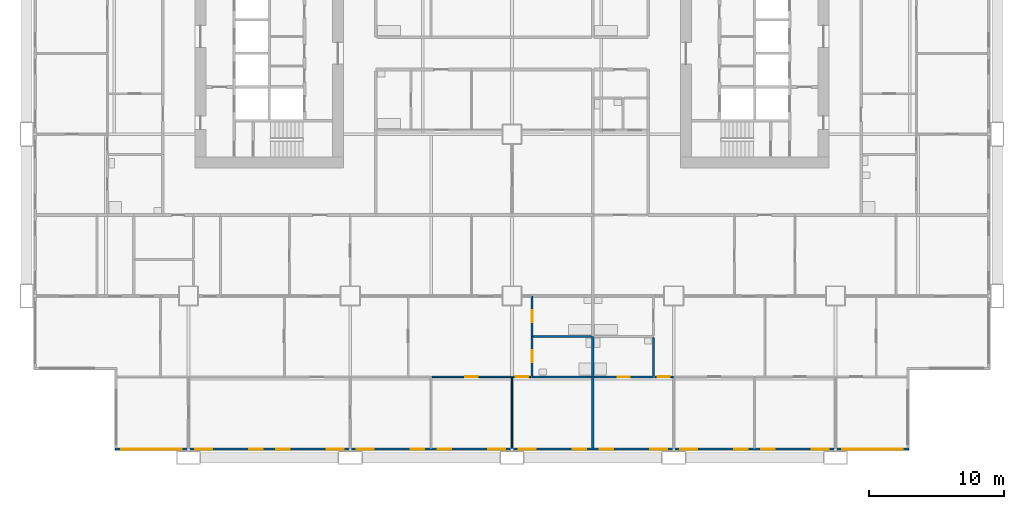
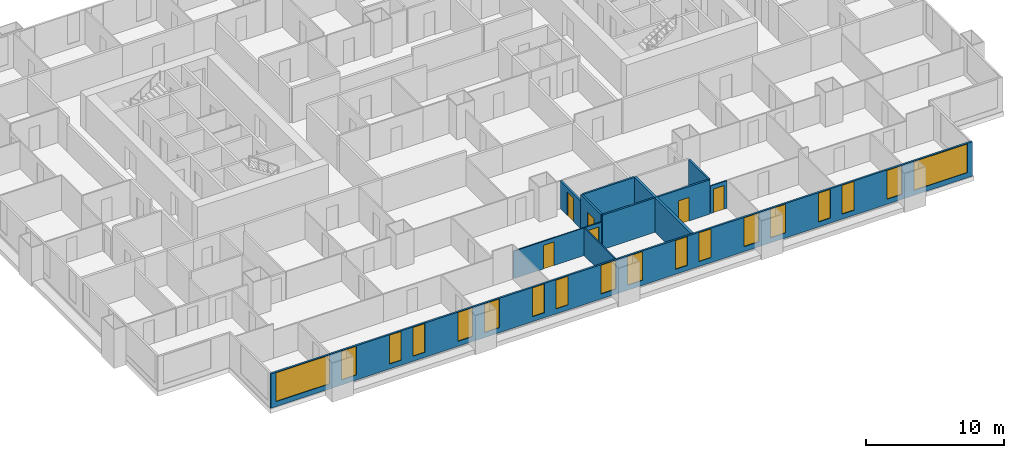
# One storey, part 5 of 14: 18 windows, 13 walls, 6 doors, 24 openings.
"""IFC4 building model written with IfcOpenShell, lengths in metres."""

from ifc_helpers import new_model, si_unit, direction, frame, frame_2d, origin, place, context, subcontext, project, spatial, rectangle, extrude, material, layer, layer_set, type_object, element, fill, save


model = new_model("IFC4")

# Units and contexts
model_context = context("Model", 3, precision=1e-05, world=origin(), true_north=direction((0.0, 1.0)))
body_context = subcontext(model_context, "Body", "Model", "MODEL_VIEW")
ifc_project = project(units=[si_unit("LENGTHUNIT", "METRE"), si_unit("AREAUNIT", "SQUARE_METRE"), si_unit("VOLUMEUNIT", "CUBIC_METRE"), si_unit("PLANEANGLEUNIT", "RADIAN"), si_unit("MASSUNIT", "GRAM", prefix="KILO")], contexts=[model_context])

# Site, building, storey
site_placement = place(None, origin())
site = spatial("IfcSite", under=ifc_project, at=site_placement, CompositionType="ELEMENT")
building_placement = place(site_placement, origin())
building = spatial("IfcBuilding", under=site, at=building_placement, Name="Kitamizu Gate Tower and Museum", CompositionType="ELEMENT")
storey_placement = place(building_placement, frame((0.0, 0.0, 54.14990234375)))
storey = spatial("IfcBuildingStorey", under=building, at=storey_placement, Name="L12", CompositionType="ELEMENT", Elevation=54.14990234375)

# Wall
ifc_material_1 = material(Name="Gypsum board on galvanised stud")
ifc_layer_1 = layer(ifc_material_1, 0.10009765625)
ifc_layer_set_1 = layer_set([ifc_layer_1], Name="Gypsum board on galvanised stud")
wall_type_1 = type_object("IfcWallType", Name="Partition 100 NOT RATED", PredefinedType="PARTITIONING", material=ifc_layer_set_1)
wall_1_placement = place(storey_placement, frame((36.0, 0.719970703125, 0.0), z_axis=(0.0, 0.0, 1.0), x_axis=(0.0, 1.0, 0.0)))
element("IfcWall", 1, at=wall_1_placement, inside=storey, type_object=wall_type_1, Name="Partition L12-010", PredefinedType="PARTITIONING", context=body_context, shape_type="SweptSolid", body=[
    extrude(rectangle(XDim=5.280029296875, YDim=0.10009765625, at=frame_2d((2.64013671875, 0.0))), origin(), (0.0, 0.0, 1.0), 2.4501953125),
])

# Wall, opening, door
wall_2_placement = place(storey_placement, frame((35.949951171875, 6.0, 0.0), z_axis=(0.0, 0.0, 1.0), x_axis=(-1.0, 0.0, 0.0)))
wall_2 = element("IfcWall", 2, at=wall_2_placement, inside=storey, type_object=wall_type_1, Name="Partition L12-011", PredefinedType="PARTITIONING", context=body_context, shape_type="SweptSolid", body=[
    extrude(rectangle(XDim=5.89990234375, YDim=0.10009765625, at=frame_2d((2.949951171875, 0.0))), origin(), (0.0, 0.0, 1.0), 2.4501953125),
])
opening_1_placement = place(wall_2_placement, frame((2.5, 0.0, 0.0)))
opening_1 = element("IfcOpeningElement", 3, at=opening_1_placement, cuts=wall_2, Name="Opening L12-010", PredefinedType="OPENING", context=body_context, shape_type="SweptSolid", body=[
    extrude(rectangle(XDim=0.89990234375, YDim=2.10009765625, at=frame_2d((0.449951171875, 1.050048828125))), frame((0.0, 0.06005859375, 0.0), z_axis=(0.0, -1.0, 0.0), x_axis=(1.0, 0.0, 0.0)), (0.0, 0.0, 1.0), 0.1201171875),
])
ifc_material_2 = material(Name="Timber door set", Category="wood")
door_type_1 = type_object("IfcDoorType", Name="Room door 900", OperationType="NOTDEFINED", PredefinedType="DOOR", material=ifc_material_2)
door_1_placement = place(opening_1_placement, origin())
door_1 = element("IfcDoor", 4, at=door_1_placement, inside=storey, type_object=door_type_1, Name="Door L12-010", OperationType="SINGLE_SWING_RIGHT", OverallHeight=2.10009765625, OverallWidth=0.89990234375, PredefinedType="DOOR", context=body_context, shape_type="SweptSolid", body=[
    extrude(rectangle(XDim=0.89990234375, YDim=2.10009765625, at=frame_2d((0.449951171875, 1.050048828125))), frame((0.0, 0.02490234375, 0.0), z_axis=(0.0, -1.0, 0.0), x_axis=(1.0, 0.0, 0.0)), (0.0, 0.0, 1.0), 0.050048828125),
])
fill(opening_1, door_1)

wall_3_placement = place(storey_placement, frame((37.425048828125, 6.0, 0.0), z_axis=(0.0, 0.0, 1.0), x_axis=(-1.0, 0.0, 0.0)))
wall_3 = element("IfcWall", 5, at=wall_3_placement, inside=storey, type_object=wall_type_1, Name="Partition L12-012", PredefinedType="PARTITIONING", context=body_context, shape_type="SweptSolid", body=[
    extrude(rectangle(XDim=1.375, YDim=0.10009765625, at=frame_2d((0.6875, 0.0))), origin(), (0.0, 0.0, 1.0), 2.4501953125),
])
opening_2_placement = place(wall_3_placement, frame((0.237548828125, 0.0, 0.0)))
opening_2 = element("IfcOpeningElement", 6, at=opening_2_placement, cuts=wall_3, Name="Opening L12-011", PredefinedType="OPENING", context=body_context, shape_type="SweptSolid", body=[
    extrude(rectangle(XDim=0.89990234375, YDim=2.10009765625, at=frame_2d((0.449951171875, 1.050048828125))), frame((0.0, 0.06005859375, 0.0), z_axis=(0.0, -1.0, 0.0), x_axis=(1.0, 0.0, 0.0)), (0.0, 0.0, 1.0), 0.1201171875),
])
door_2_placement = place(opening_2_placement, origin())
door_2 = element("IfcDoor", 7, at=door_2_placement, inside=storey, type_object=door_type_1, Name="Door L12-011", OperationType="SINGLE_SWING_LEFT", OverallHeight=2.10009765625, OverallWidth=0.89990234375, PredefinedType="DOOR", context=body_context, shape_type="SweptSolid", body=[
    extrude(rectangle(XDim=0.89990234375, YDim=2.10009765625, at=frame_2d((0.449951171875, 1.050048828125))), frame((0.0, 0.02490234375, 0.0), z_axis=(0.0, -1.0, 0.0), x_axis=(1.0, 0.0, 0.0)), (0.0, 0.0, 1.0), 0.050048828125),
])
fill(opening_2, door_2)

wall_4_placement = place(storey_placement, frame((47.949951171875, 6.0, 0.0), z_axis=(0.0, 0.0, 1.0), x_axis=(-1.0, 0.0, 0.0)))
wall_4 = element("IfcWall", 8, at=wall_4_placement, inside=storey, type_object=wall_type_1, Name="Partition L12-078", PredefinedType="PARTITIONING", context=body_context, shape_type="SweptSolid", body=[
    extrude(rectangle(XDim=1.375, YDim=0.10009765625, at=frame_2d((0.6875, 0.0))), origin(), (0.0, 0.0, 1.0), 2.4501953125),
])
opening_3_placement = place(wall_4_placement, frame((0.237548828125, 0.0, 0.0)))
opening_3 = element("IfcOpeningElement", 9, at=opening_3_placement, cuts=wall_4, Name="Opening L12-029", PredefinedType="OPENING", context=body_context, shape_type="SweptSolid", body=[
    extrude(rectangle(XDim=0.89990234375, YDim=2.10009765625, at=frame_2d((0.449951171875, 1.050048828125))), frame((0.0, 0.06005859375, 0.0), z_axis=(0.0, -1.0, 0.0), x_axis=(1.0, 0.0, 0.0)), (0.0, 0.0, 1.0), 0.1201171875),
])
door_3_placement = place(opening_3_placement, origin())
door_3 = element("IfcDoor", 10, at=door_3_placement, inside=storey, type_object=door_type_1, Name="Door L12-029", OperationType="SINGLE_SWING_RIGHT", OverallHeight=2.10009765625, OverallWidth=0.89990234375, PredefinedType="DOOR", context=body_context, shape_type="SweptSolid", body=[
    extrude(rectangle(XDim=0.89990234375, YDim=2.10009765625, at=frame_2d((0.449951171875, 1.050048828125))), frame((0.0, 0.02490234375, 0.0), z_axis=(0.0, -1.0, 0.0), x_axis=(1.0, 0.0, 0.0)), (0.0, 0.0, 1.0), 0.050048828125),
])
fill(opening_3, door_3)

# Wall
ifc_material_3 = material(Name="Gypsum board on galvanised stud")
ifc_layer_2 = layer(ifc_material_3, 0.14990234375)
ifc_layer_set_2 = layer_set([ifc_layer_2], Name="Gypsum board on galvanised stud")
wall_type_2 = type_object("IfcWallType", Name="Partition 150", PredefinedType="PARTITIONING", material=ifc_layer_set_2)
wall_5_placement = place(storey_placement, frame((41.89990234375, 6.0, 0.0), z_axis=(0.0, 0.0, 1.0), x_axis=(-1.0, 0.0, 0.0)))
element("IfcWall", 11, at=wall_5_placement, inside=storey, type_object=wall_type_2, Name="Partition L12-013", PredefinedType="PARTITIONING", context=body_context, shape_type="SweptSolid", body=[
    extrude(rectangle(XDim=4.39990234375, YDim=0.14990234375, at=frame_2d((2.199951171875, 0.0))), origin(), (0.0, 0.0, 1.0), 3.050048828125),
])

# Wall, opening, door
wall_6_placement = place(storey_placement, frame((37.5, 6.074951171875, 0.0), z_axis=(0.0, 0.0, 1.0), x_axis=(0.0, 1.0, 0.0)))
wall_6 = element("IfcWall", 12, at=wall_6_placement, inside=storey, type_object=wall_type_2, Name="Partition L12-027", PredefinedType="PARTITIONING", context=body_context, shape_type="SweptSolid", body=[
    extrude(rectangle(XDim=2.925048828125, YDim=0.14990234375, at=frame_2d((1.46240234375, 0.0))), origin(), (0.0, 0.0, 1.0), 3.050048828125),
])
opening_4_placement = place(wall_6_placement, frame((1.012451171875, 0.0, 0.0)))
opening_4 = element("IfcOpeningElement", 13, at=opening_4_placement, cuts=wall_6, Name="Opening L12-008", PredefinedType="OPENING", context=body_context, shape_type="SweptSolid", body=[
    extrude(rectangle(XDim=0.89990234375, YDim=2.10009765625, at=frame_2d((0.449951171875, 1.050048828125))), frame((0.0, 0.0849609375, 0.0), z_axis=(0.0, -1.0, 0.0), x_axis=(1.0, 0.0, 0.0)), (0.0, 0.0, 1.0), 0.169921875),
])
ifc_material_4 = material(Name="Timber door set", Category="wood")
door_type_2 = type_object("IfcDoorType", Name="Bathroom door 900", OperationType="NOTDEFINED", PredefinedType="DOOR", material=ifc_material_4)
door_4_placement = place(opening_4_placement, frame((0.89990234375, 0.0, 0.0), x_axis=(-1.0, 0.0, 0.0)))
door_4 = element("IfcDoor", 14, at=door_4_placement, inside=storey, type_object=door_type_2, Name="Bathroom door L12-008", OperationType="SINGLE_SWING_LEFT", OverallHeight=2.10009765625, OverallWidth=0.89990234375, PredefinedType="DOOR", context=body_context, shape_type="SweptSolid", body=[
    extrude(rectangle(XDim=0.89990234375, YDim=2.10009765625, at=frame_2d((0.449951171875, 1.050048828125))), frame((0.0, 0.02490234375, 0.0), z_axis=(0.0, -1.0, 0.0), x_axis=(1.0, 0.0, 0.0)), (0.0, 0.0, 1.0), 0.050048828125),
])
fill(opening_4, door_4)

wall_7_placement = place(storey_placement, frame((37.5, 9.0, 0.0), z_axis=(0.0, 0.0, 1.0), x_axis=(0.0, 1.0, 0.0)))
wall_7 = element("IfcWall", 15, at=wall_7_placement, inside=storey, type_object=wall_type_2, Name="Partition L12-028", PredefinedType="PARTITIONING", context=body_context, shape_type="SweptSolid", body=[
    extrude(rectangle(XDim=3.0, YDim=0.14990234375, at=frame_2d((1.5, 0.0))), origin(), (0.0, 0.0, 1.0), 2.4501953125),
])
opening_5_placement = place(wall_7_placement, frame((1.050048828125, 0.0, 0.0)))
opening_5 = element("IfcOpeningElement", 16, at=opening_5_placement, cuts=wall_7, Name="Opening L12-012", PredefinedType="OPENING", context=body_context, shape_type="SweptSolid", body=[
    extrude(rectangle(XDim=0.89990234375, YDim=2.10009765625, at=frame_2d((0.449951171875, 1.050048828125))), frame((0.0, 0.0849609375, 0.0), z_axis=(0.0, -1.0, 0.0), x_axis=(1.0, 0.0, 0.0)), (0.0, 0.0, 1.0), 0.169921875),
])
door_5_placement = place(opening_5_placement, frame((0.89990234375, 0.0, 0.0), x_axis=(-1.0, 0.0, 0.0)))
door_5 = element("IfcDoor", 17, at=door_5_placement, inside=storey, type_object=door_type_2, Name="Bathroom door L12-012", OperationType="SINGLE_SWING_RIGHT", OverallHeight=2.10009765625, OverallWidth=0.89990234375, PredefinedType="DOOR", context=body_context, shape_type="SweptSolid", body=[
    extrude(rectangle(XDim=0.89990234375, YDim=2.10009765625, at=frame_2d((0.449951171875, 1.050048828125))), frame((0.0, 0.02490234375, 0.0), z_axis=(0.0, -1.0, 0.0), x_axis=(1.0, 0.0, 0.0)), (0.0, 0.0, 1.0), 0.050048828125),
])
fill(opening_5, door_5)

# Wall
wall_8_placement = place(storey_placement, frame((41.89990234375, 9.0, 0.0), z_axis=(0.0, 0.0, 1.0), x_axis=(-1.0, 0.0, 0.0)))
element("IfcWall", 18, at=wall_8_placement, inside=storey, type_object=wall_type_2, Name="Partition L12-032", PredefinedType="PARTITIONING", context=body_context, shape_type="SweptSolid", body=[
    extrude(rectangle(XDim=4.324951171875, YDim=0.14990234375, at=frame_2d((2.16259765625, 0.0))), origin(), (0.0, 0.0, 1.0), 3.050048828125),
])

# Wall, opening, door
wall_9_placement = place(storey_placement, frame((46.5, 6.0, 0.0), z_axis=(0.0, 0.0, 1.0), x_axis=(-1.0, 0.0, 0.0)))
wall_9 = element("IfcWall", 19, at=wall_9_placement, inside=storey, type_object=wall_type_2, Name="Partition L12-077", PredefinedType="PARTITIONING", context=body_context, shape_type="SweptSolid", body=[
    extrude(rectangle(XDim=4.39990234375, YDim=0.14990234375, at=frame_2d((2.199951171875, 0.0))), origin(), (0.0, 0.0, 1.0), 3.050048828125),
])
opening_6_placement = place(wall_9_placement, frame((1.75, 0.0, 0.0)))
opening_6 = element("IfcOpeningElement", 20, at=opening_6_placement, cuts=wall_9, Name="Opening L12-031", PredefinedType="OPENING", context=body_context, shape_type="SweptSolid", body=[
    extrude(rectangle(XDim=0.89990234375, YDim=2.10009765625, at=frame_2d((0.449951171875, 1.050048828125))), frame((0.0, 0.0849609375, 0.0), z_axis=(0.0, -1.0, 0.0), x_axis=(1.0, 0.0, 0.0)), (0.0, 0.0, 1.0), 0.169921875),
])
door_6_placement = place(opening_6_placement, frame((0.89990234375, 0.0, 0.0), x_axis=(-1.0, 0.0, 0.0)))
door_6 = element("IfcDoor", 21, at=door_6_placement, inside=storey, type_object=door_type_2, Name="Bathroom door L12-031", OperationType="SINGLE_SWING_RIGHT", OverallHeight=2.10009765625, OverallWidth=0.89990234375, PredefinedType="DOOR", context=body_context, shape_type="SweptSolid", body=[
    extrude(rectangle(XDim=0.89990234375, YDim=2.10009765625, at=frame_2d((0.449951171875, 1.050048828125))), frame((0.0, 0.02490234375, 0.0), z_axis=(0.0, -1.0, 0.0), x_axis=(1.0, 0.0, 0.0)), (0.0, 0.0, 1.0), 0.050048828125),
])
fill(opening_6, door_6)

# Walls
wall_10_placement = place(storey_placement, frame((46.5, 6.074951171875, 0.0), z_axis=(0.0, 0.0, 1.0), x_axis=(0.0, 1.0, 0.0)))
element("IfcWall", 22, at=wall_10_placement, inside=storey, type_object=wall_type_2, Name="Partition L12-087", PredefinedType="PARTITIONING", context=body_context, shape_type="SweptSolid", body=[
    extrude(rectangle(XDim=2.85009765625, YDim=0.14990234375, at=frame_2d((1.425048828125, 0.0))), origin(), (0.0, 0.0, 1.0), 3.050048828125),
])
ifc_material_5 = material(Name="Gypsum board on galvanised stud")
ifc_layer_3 = layer(ifc_material_5, 0.199951171875)
ifc_layer_set_3 = layer_set([ifc_layer_3], Name="Gypsum board on galvanised stud")
wall_type_3 = type_object("IfcWallType", Name="Partition 200", PredefinedType="PARTITIONING", material=ifc_layer_set_3)
wall_11_placement = place(storey_placement, frame((42.0, 0.719970703125, 0.0), z_axis=(0.0, 0.0, 1.0), x_axis=(0.0, 1.0, 0.0)))
element("IfcWall", 23, at=wall_11_placement, inside=storey, type_object=wall_type_3, Name="Partition L12-014", PredefinedType="PARTITIONING", context=body_context, shape_type="SweptSolid", body=[
    extrude(rectangle(XDim=5.280029296875, YDim=0.199951171875, at=frame_2d((2.64013671875, 0.0))), origin(), (0.0, 0.0, 1.0), 3.050048828125),
])
wall_12_placement = place(storey_placement, frame((42.0, 6.0, 0.0), z_axis=(0.0, 0.0, 1.0), x_axis=(0.0, 1.0, 0.0)))
element("IfcWall", 24, at=wall_12_placement, inside=storey, type_object=wall_type_3, Name="Partition L12-033", PredefinedType="PARTITIONING", context=body_context, shape_type="SweptSolid", body=[
    extrude(rectangle(XDim=3.0, YDim=0.199951171875, at=frame_2d((1.5, 0.0))), origin(), (0.0, 0.0, 1.0), 3.050048828125),
])

# Wall, openings, windows
ifc_material_6 = material(Name="Bronze anodised aluminium frame with insulated spandrel and tinted glass", Category="aluminium")
ifc_layer_4 = layer(ifc_material_6, 0.14990234375)
ifc_layer_set_4 = layer_set([ifc_layer_4], Name="Bronze anodised aluminium frame with insulated spandrel and tinted glass")
wall_type_4 = type_object("IfcWallType", Name="WINDOW WALL 150 BRONZE FRAME EI 30", PredefinedType="ELEMENTEDWALL", material=ifc_layer_set_4)
wall_13_placement = place(storey_placement, frame((6.56005859375, 0.635009765625, 0.0), z_axis=(0.0, 0.0, 1.0), x_axis=(1.0, 0.0, 0.0)))
wall_13 = element("IfcWall", 25, at=wall_13_placement, inside=storey, type_object=wall_type_4, Name="Window wall south L12", PredefinedType="ELEMENTEDWALL", context=body_context, shape_type="SweptSolid", body=[
    extrude(rectangle(XDim=58.8798828125, YDim=0.14990234375, at=frame_2d((29.43994140625, 0.0))), origin(), (0.0, 0.0, 1.0), 3.050048828125),
])
opening_7_placement = place(wall_13_placement, frame((0.43994140625, 0.0, 0.449951171875)))
opening_7 = element("IfcOpeningElement", 26, at=opening_7_placement, cuts=wall_13, Name="Opening W15", PredefinedType="OPENING", context=body_context, shape_type="SweptSolid", body=[
    extrude(rectangle(XDim=4.5, YDim=2.550048828125, at=frame_2d((2.25, 1.27490234375))), frame((0.0, 0.0849609375, 0.0), z_axis=(0.0, -1.0, 0.0), x_axis=(1.0, 0.0, 0.0)), (0.0, 0.0, 1.0), 0.169921875),
])
opening_8_placement = place(wall_13_placement, frame((5.93994140625, 0.0, 0.449951171875)))
opening_8 = element("IfcOpeningElement", 27, at=opening_8_placement, cuts=wall_13, Name="Opening W27", PredefinedType="OPENING", context=body_context, shape_type="SweptSolid", body=[
    extrude(rectangle(XDim=1.25, YDim=2.550048828125, at=frame_2d((0.625, 1.27490234375))), frame((0.0, 0.0849609375, 0.0), z_axis=(0.0, -1.0, 0.0), x_axis=(1.0, 0.0, 0.0)), (0.0, 0.0, 1.0), 0.169921875),
])
opening_9_placement = place(wall_13_placement, frame((9.93994140625, 0.0, 0.449951171875)))
opening_9 = element("IfcOpeningElement", 28, at=opening_9_placement, cuts=wall_13, Name="Opening W26", PredefinedType="OPENING", context=body_context, shape_type="SweptSolid", body=[
    extrude(rectangle(XDim=1.0, YDim=2.550048828125, at=frame_2d((0.5, 1.27490234375))), frame((0.0, 0.0849609375, 0.0), z_axis=(0.0, -1.0, 0.0), x_axis=(1.0, 0.0, 0.0)), (0.0, 0.0, 1.0), 0.169921875),
])
opening_10_placement = place(wall_13_placement, frame((11.93994140625, 0.0, 0.449951171875)))
opening_10 = element("IfcOpeningElement", 29, at=opening_10_placement, cuts=wall_13, Name="Opening W26", PredefinedType="OPENING", context=body_context, shape_type="SweptSolid", body=[
    extrude(rectangle(XDim=1.0, YDim=2.550048828125, at=frame_2d((0.5, 1.27490234375))), frame((0.0, 0.0849609375, 0.0), z_axis=(0.0, -1.0, 0.0), x_axis=(1.0, 0.0, 0.0)), (0.0, 0.0, 1.0), 0.169921875),
])
opening_11_placement = place(wall_13_placement, frame((15.68994140625, 0.0, 0.449951171875)))
opening_11 = element("IfcOpeningElement", 30, at=opening_11_placement, cuts=wall_13, Name="Opening W27", PredefinedType="OPENING", context=body_context, shape_type="SweptSolid", body=[
    extrude(rectangle(XDim=1.25, YDim=2.550048828125, at=frame_2d((0.625, 1.27490234375))), frame((0.0, 0.0849609375, 0.0), z_axis=(0.0, -1.0, 0.0), x_axis=(1.0, 0.0, 0.0)), (0.0, 0.0, 1.0), 0.169921875),
])
opening_12_placement = place(wall_13_placement, frame((17.93994140625, 0.0, 0.449951171875)))
opening_12 = element("IfcOpeningElement", 31, at=opening_12_placement, cuts=wall_13, Name="Opening W27", PredefinedType="OPENING", context=body_context, shape_type="SweptSolid", body=[
    extrude(rectangle(XDim=1.25, YDim=2.550048828125, at=frame_2d((0.625, 1.27490234375))), frame((0.0, 0.0849609375, 0.0), z_axis=(0.0, -1.0, 0.0), x_axis=(1.0, 0.0, 0.0)), (0.0, 0.0, 1.0), 0.169921875),
])
opening_13_placement = place(wall_13_placement, frame((21.93994140625, 0.0, 0.449951171875)))
opening_13 = element("IfcOpeningElement", 32, at=opening_13_placement, cuts=wall_13, Name="Opening W26", PredefinedType="OPENING", context=body_context, shape_type="SweptSolid", body=[
    extrude(rectangle(XDim=1.0, YDim=2.550048828125, at=frame_2d((0.5, 1.27490234375))), frame((0.0, 0.0849609375, 0.0), z_axis=(0.0, -1.0, 0.0), x_axis=(1.0, 0.0, 0.0)), (0.0, 0.0, 1.0), 0.169921875),
])
opening_14_placement = place(wall_13_placement, frame((23.93994140625, 0.0, 0.449951171875)))
opening_14 = element("IfcOpeningElement", 33, at=opening_14_placement, cuts=wall_13, Name="Opening W26", PredefinedType="OPENING", context=body_context, shape_type="SweptSolid", body=[
    extrude(rectangle(XDim=1.0, YDim=2.550048828125, at=frame_2d((0.5, 1.27490234375))), frame((0.0, 0.0849609375, 0.0), z_axis=(0.0, -1.0, 0.0), x_axis=(1.0, 0.0, 0.0)), (0.0, 0.0, 1.0), 0.169921875),
])
opening_15_placement = place(wall_13_placement, frame((27.68994140625, 0.0, 0.449951171875)))
opening_15 = element("IfcOpeningElement", 34, at=opening_15_placement, cuts=wall_13, Name="Opening W27", PredefinedType="OPENING", context=body_context, shape_type="SweptSolid", body=[
    extrude(rectangle(XDim=1.25, YDim=2.550048828125, at=frame_2d((0.625, 1.27490234375))), frame((0.0, 0.0849609375, 0.0), z_axis=(0.0, -1.0, 0.0), x_axis=(1.0, 0.0, 0.0)), (0.0, 0.0, 1.0), 0.169921875),
])
opening_16_placement = place(wall_13_placement, frame((29.93994140625, 0.0, 0.449951171875)))
opening_16 = element("IfcOpeningElement", 35, at=opening_16_placement, cuts=wall_13, Name="Opening W27", PredefinedType="OPENING", context=body_context, shape_type="SweptSolid", body=[
    extrude(rectangle(XDim=1.25, YDim=2.550048828125, at=frame_2d((0.625, 1.27490234375))), frame((0.0, 0.0849609375, 0.0), z_axis=(0.0, -1.0, 0.0), x_axis=(1.0, 0.0, 0.0)), (0.0, 0.0, 1.0), 0.169921875),
])
opening_17_placement = place(wall_13_placement, frame((33.93994140625, 0.0, 0.449951171875)))
opening_17 = element("IfcOpeningElement", 36, at=opening_17_placement, cuts=wall_13, Name="Opening W26", PredefinedType="OPENING", context=body_context, shape_type="SweptSolid", body=[
    extrude(rectangle(XDim=1.0, YDim=2.550048828125, at=frame_2d((0.5, 1.27490234375))), frame((0.0, 0.0849609375, 0.0), z_axis=(0.0, -1.0, 0.0), x_axis=(1.0, 0.0, 0.0)), (0.0, 0.0, 1.0), 0.169921875),
])
opening_18_placement = place(wall_13_placement, frame((35.93994140625, 0.0, 0.449951171875)))
opening_18 = element("IfcOpeningElement", 37, at=opening_18_placement, cuts=wall_13, Name="Opening W26", PredefinedType="OPENING", context=body_context, shape_type="SweptSolid", body=[
    extrude(rectangle(XDim=1.0, YDim=2.550048828125, at=frame_2d((0.5, 1.27490234375))), frame((0.0, 0.0849609375, 0.0), z_axis=(0.0, -1.0, 0.0), x_axis=(1.0, 0.0, 0.0)), (0.0, 0.0, 1.0), 0.169921875),
])
opening_19_placement = place(wall_13_placement, frame((39.68994140625, 0.0, 0.449951171875)))
opening_19 = element("IfcOpeningElement", 38, at=opening_19_placement, cuts=wall_13, Name="Opening W27", PredefinedType="OPENING", context=body_context, shape_type="SweptSolid", body=[
    extrude(rectangle(XDim=1.25, YDim=2.550048828125, at=frame_2d((0.625, 1.27490234375))), frame((0.0, 0.0849609375, 0.0), z_axis=(0.0, -1.0, 0.0), x_axis=(1.0, 0.0, 0.0)), (0.0, 0.0, 1.0), 0.169921875),
])
opening_20_placement = place(wall_13_placement, frame((41.93994140625, 0.0, 0.449951171875)))
opening_20 = element("IfcOpeningElement", 39, at=opening_20_placement, cuts=wall_13, Name="Opening W27", PredefinedType="OPENING", context=body_context, shape_type="SweptSolid", body=[
    extrude(rectangle(XDim=1.25, YDim=2.550048828125, at=frame_2d((0.625, 1.27490234375))), frame((0.0, 0.0849609375, 0.0), z_axis=(0.0, -1.0, 0.0), x_axis=(1.0, 0.0, 0.0)), (0.0, 0.0, 1.0), 0.169921875),
])
opening_21_placement = place(wall_13_placement, frame((45.93994140625, 0.0, 0.449951171875)))
opening_21 = element("IfcOpeningElement", 40, at=opening_21_placement, cuts=wall_13, Name="Opening W26", PredefinedType="OPENING", context=body_context, shape_type="SweptSolid", body=[
    extrude(rectangle(XDim=1.0, YDim=2.550048828125, at=frame_2d((0.5, 1.27490234375))), frame((0.0, 0.0849609375, 0.0), z_axis=(0.0, -1.0, 0.0), x_axis=(1.0, 0.0, 0.0)), (0.0, 0.0, 1.0), 0.169921875),
])
opening_22_placement = place(wall_13_placement, frame((47.93994140625, 0.0, 0.449951171875)))
opening_22 = element("IfcOpeningElement", 41, at=opening_22_placement, cuts=wall_13, Name="Opening W26", PredefinedType="OPENING", context=body_context, shape_type="SweptSolid", body=[
    extrude(rectangle(XDim=1.0, YDim=2.550048828125, at=frame_2d((0.5, 1.27490234375))), frame((0.0, 0.0849609375, 0.0), z_axis=(0.0, -1.0, 0.0), x_axis=(1.0, 0.0, 0.0)), (0.0, 0.0, 1.0), 0.169921875),
])
opening_23_placement = place(wall_13_placement, frame((51.68994140625, 0.0, 0.449951171875)))
opening_23 = element("IfcOpeningElement", 42, at=opening_23_placement, cuts=wall_13, Name="Opening W27", PredefinedType="OPENING", context=body_context, shape_type="SweptSolid", body=[
    extrude(rectangle(XDim=1.25, YDim=2.550048828125, at=frame_2d((0.625, 1.27490234375))), frame((0.0, 0.0849609375, 0.0), z_axis=(0.0, -1.0, 0.0), x_axis=(1.0, 0.0, 0.0)), (0.0, 0.0, 1.0), 0.169921875),
])
opening_24_placement = place(wall_13_placement, frame((53.93994140625, 0.0, 0.449951171875)))
opening_24 = element("IfcOpeningElement", 43, at=opening_24_placement, cuts=wall_13, Name="Opening W15", PredefinedType="OPENING", context=body_context, shape_type="SweptSolid", body=[
    extrude(rectangle(XDim=4.5, YDim=2.550048828125, at=frame_2d((2.25, 1.27490234375))), frame((0.0, 0.0849609375, 0.0), z_axis=(0.0, -1.0, 0.0), x_axis=(1.0, 0.0, 0.0)), (0.0, 0.0, 1.0), 0.169921875),
])
ifc_material_7 = material(Name="Bronze anodised aluminium frame, tinted triple glazing", Category="aluminium")
window_type_1 = type_object("IfcWindowType", Name="WINDOW 1000 x 2550 SILL 450", PartitioningType="SINGLE_PANEL", PredefinedType="WINDOW", material=ifc_material_7)
window_1_placement = place(opening_9_placement, origin())
window_1 = element("IfcWindow", 44, at=window_1_placement, inside=storey, type_object=window_type_1, Name="Window W26 L12", OverallHeight=2.550048828125, OverallWidth=1.0, PartitioningType="SINGLE_PANEL", PredefinedType="WINDOW", context=body_context, shape_type="SweptSolid", body=[
    extrude(rectangle(XDim=1.0, YDim=2.550048828125, at=frame_2d((0.5, 1.27490234375))), frame((0.0, 0.030029296875, 0.0), z_axis=(0.0, -1.0, 0.0), x_axis=(1.0, 0.0, 0.0)), (0.0, 0.0, 1.0), 0.06005859375),
])
fill(opening_9, window_1)
window_2_placement = place(opening_10_placement, origin())
window_2 = element("IfcWindow", 45, at=window_2_placement, inside=storey, type_object=window_type_1, Name="Window W26 L12", OverallHeight=2.550048828125, OverallWidth=1.0, PartitioningType="SINGLE_PANEL", PredefinedType="WINDOW", context=body_context, shape_type="SweptSolid", body=[
    extrude(rectangle(XDim=1.0, YDim=2.550048828125, at=frame_2d((0.5, 1.27490234375))), frame((0.0, 0.030029296875, 0.0), z_axis=(0.0, -1.0, 0.0), x_axis=(1.0, 0.0, 0.0)), (0.0, 0.0, 1.0), 0.06005859375),
])
fill(opening_10, window_2)
window_3_placement = place(opening_13_placement, origin())
window_3 = element("IfcWindow", 46, at=window_3_placement, inside=storey, type_object=window_type_1, Name="Window W26 L12", OverallHeight=2.550048828125, OverallWidth=1.0, PartitioningType="SINGLE_PANEL", PredefinedType="WINDOW", context=body_context, shape_type="SweptSolid", body=[
    extrude(rectangle(XDim=1.0, YDim=2.550048828125, at=frame_2d((0.5, 1.27490234375))), frame((0.0, 0.030029296875, 0.0), z_axis=(0.0, -1.0, 0.0), x_axis=(1.0, 0.0, 0.0)), (0.0, 0.0, 1.0), 0.06005859375),
])
fill(opening_13, window_3)
window_4_placement = place(opening_14_placement, origin())
window_4 = element("IfcWindow", 47, at=window_4_placement, inside=storey, type_object=window_type_1, Name="Window W26 L12", OverallHeight=2.550048828125, OverallWidth=1.0, PartitioningType="SINGLE_PANEL", PredefinedType="WINDOW", context=body_context, shape_type="SweptSolid", body=[
    extrude(rectangle(XDim=1.0, YDim=2.550048828125, at=frame_2d((0.5, 1.27490234375))), frame((0.0, 0.030029296875, 0.0), z_axis=(0.0, -1.0, 0.0), x_axis=(1.0, 0.0, 0.0)), (0.0, 0.0, 1.0), 0.06005859375),
])
fill(opening_14, window_4)
window_5_placement = place(opening_17_placement, origin())
window_5 = element("IfcWindow", 48, at=window_5_placement, inside=storey, type_object=window_type_1, Name="Window W26 L12", OverallHeight=2.550048828125, OverallWidth=1.0, PartitioningType="SINGLE_PANEL", PredefinedType="WINDOW", context=body_context, shape_type="SweptSolid", body=[
    extrude(rectangle(XDim=1.0, YDim=2.550048828125, at=frame_2d((0.5, 1.27490234375))), frame((0.0, 0.030029296875, 0.0), z_axis=(0.0, -1.0, 0.0), x_axis=(1.0, 0.0, 0.0)), (0.0, 0.0, 1.0), 0.06005859375),
])
fill(opening_17, window_5)
window_6_placement = place(opening_18_placement, origin())
window_6 = element("IfcWindow", 49, at=window_6_placement, inside=storey, type_object=window_type_1, Name="Window W26 L12", OverallHeight=2.550048828125, OverallWidth=1.0, PartitioningType="SINGLE_PANEL", PredefinedType="WINDOW", context=body_context, shape_type="SweptSolid", body=[
    extrude(rectangle(XDim=1.0, YDim=2.550048828125, at=frame_2d((0.5, 1.27490234375))), frame((0.0, 0.030029296875, 0.0), z_axis=(0.0, -1.0, 0.0), x_axis=(1.0, 0.0, 0.0)), (0.0, 0.0, 1.0), 0.06005859375),
])
fill(opening_18, window_6)
window_7_placement = place(opening_21_placement, origin())
window_7 = element("IfcWindow", 50, at=window_7_placement, inside=storey, type_object=window_type_1, Name="Window W26 L12", OverallHeight=2.550048828125, OverallWidth=1.0, PartitioningType="SINGLE_PANEL", PredefinedType="WINDOW", context=body_context, shape_type="SweptSolid", body=[
    extrude(rectangle(XDim=1.0, YDim=2.550048828125, at=frame_2d((0.5, 1.27490234375))), frame((0.0, 0.030029296875, 0.0), z_axis=(0.0, -1.0, 0.0), x_axis=(1.0, 0.0, 0.0)), (0.0, 0.0, 1.0), 0.06005859375),
])
fill(opening_21, window_7)
window_8_placement = place(opening_22_placement, origin())
window_8 = element("IfcWindow", 51, at=window_8_placement, inside=storey, type_object=window_type_1, Name="Window W26 L12", OverallHeight=2.550048828125, OverallWidth=1.0, PartitioningType="SINGLE_PANEL", PredefinedType="WINDOW", context=body_context, shape_type="SweptSolid", body=[
    extrude(rectangle(XDim=1.0, YDim=2.550048828125, at=frame_2d((0.5, 1.27490234375))), frame((0.0, 0.030029296875, 0.0), z_axis=(0.0, -1.0, 0.0), x_axis=(1.0, 0.0, 0.0)), (0.0, 0.0, 1.0), 0.06005859375),
])
fill(opening_22, window_8)
ifc_material_8 = material(Name="Bronze anodised aluminium frame, tinted triple glazing", Category="aluminium")
window_type_2 = type_object("IfcWindowType", Name="WINDOW 1250 x 2550 SILL 450", PartitioningType="SINGLE_PANEL", PredefinedType="WINDOW", material=ifc_material_8)
window_9_placement = place(opening_8_placement, origin())
window_9 = element("IfcWindow", 52, at=window_9_placement, inside=storey, type_object=window_type_2, Name="Window W27 L12", OverallHeight=2.550048828125, OverallWidth=1.25, PartitioningType="SINGLE_PANEL", PredefinedType="WINDOW", context=body_context, shape_type="SweptSolid", body=[
    extrude(rectangle(XDim=1.25, YDim=2.550048828125, at=frame_2d((0.625, 1.27490234375))), frame((0.0, 0.030029296875, 0.0), z_axis=(0.0, -1.0, 0.0), x_axis=(1.0, 0.0, 0.0)), (0.0, 0.0, 1.0), 0.06005859375),
])
fill(opening_8, window_9)
window_10_placement = place(opening_11_placement, origin())
window_10 = element("IfcWindow", 53, at=window_10_placement, inside=storey, type_object=window_type_2, Name="Window W27 L12", OverallHeight=2.550048828125, OverallWidth=1.25, PartitioningType="SINGLE_PANEL", PredefinedType="WINDOW", context=body_context, shape_type="SweptSolid", body=[
    extrude(rectangle(XDim=1.25, YDim=2.550048828125, at=frame_2d((0.625, 1.27490234375))), frame((0.0, 0.030029296875, 0.0), z_axis=(0.0, -1.0, 0.0), x_axis=(1.0, 0.0, 0.0)), (0.0, 0.0, 1.0), 0.06005859375),
])
fill(opening_11, window_10)
window_11_placement = place(opening_12_placement, origin())
window_11 = element("IfcWindow", 54, at=window_11_placement, inside=storey, type_object=window_type_2, Name="Window W27 L12", OverallHeight=2.550048828125, OverallWidth=1.25, PartitioningType="SINGLE_PANEL", PredefinedType="WINDOW", context=body_context, shape_type="SweptSolid", body=[
    extrude(rectangle(XDim=1.25, YDim=2.550048828125, at=frame_2d((0.625, 1.27490234375))), frame((0.0, 0.030029296875, 0.0), z_axis=(0.0, -1.0, 0.0), x_axis=(1.0, 0.0, 0.0)), (0.0, 0.0, 1.0), 0.06005859375),
])
fill(opening_12, window_11)
window_12_placement = place(opening_15_placement, origin())
window_12 = element("IfcWindow", 55, at=window_12_placement, inside=storey, type_object=window_type_2, Name="Window W27 L12", OverallHeight=2.550048828125, OverallWidth=1.25, PartitioningType="SINGLE_PANEL", PredefinedType="WINDOW", context=body_context, shape_type="SweptSolid", body=[
    extrude(rectangle(XDim=1.25, YDim=2.550048828125, at=frame_2d((0.625, 1.27490234375))), frame((0.0, 0.030029296875, 0.0), z_axis=(0.0, -1.0, 0.0), x_axis=(1.0, 0.0, 0.0)), (0.0, 0.0, 1.0), 0.06005859375),
])
fill(opening_15, window_12)
window_13_placement = place(opening_16_placement, origin())
window_13 = element("IfcWindow", 56, at=window_13_placement, inside=storey, type_object=window_type_2, Name="Window W27 L12", OverallHeight=2.550048828125, OverallWidth=1.25, PartitioningType="SINGLE_PANEL", PredefinedType="WINDOW", context=body_context, shape_type="SweptSolid", body=[
    extrude(rectangle(XDim=1.25, YDim=2.550048828125, at=frame_2d((0.625, 1.27490234375))), frame((0.0, 0.030029296875, 0.0), z_axis=(0.0, -1.0, 0.0), x_axis=(1.0, 0.0, 0.0)), (0.0, 0.0, 1.0), 0.06005859375),
])
fill(opening_16, window_13)
window_14_placement = place(opening_19_placement, origin())
window_14 = element("IfcWindow", 57, at=window_14_placement, inside=storey, type_object=window_type_2, Name="Window W27 L12", OverallHeight=2.550048828125, OverallWidth=1.25, PartitioningType="SINGLE_PANEL", PredefinedType="WINDOW", context=body_context, shape_type="SweptSolid", body=[
    extrude(rectangle(XDim=1.25, YDim=2.550048828125, at=frame_2d((0.625, 1.27490234375))), frame((0.0, 0.030029296875, 0.0), z_axis=(0.0, -1.0, 0.0), x_axis=(1.0, 0.0, 0.0)), (0.0, 0.0, 1.0), 0.06005859375),
])
fill(opening_19, window_14)
window_15_placement = place(opening_20_placement, origin())
window_15 = element("IfcWindow", 58, at=window_15_placement, inside=storey, type_object=window_type_2, Name="Window W27 L12", OverallHeight=2.550048828125, OverallWidth=1.25, PartitioningType="SINGLE_PANEL", PredefinedType="WINDOW", context=body_context, shape_type="SweptSolid", body=[
    extrude(rectangle(XDim=1.25, YDim=2.550048828125, at=frame_2d((0.625, 1.27490234375))), frame((0.0, 0.030029296875, 0.0), z_axis=(0.0, -1.0, 0.0), x_axis=(1.0, 0.0, 0.0)), (0.0, 0.0, 1.0), 0.06005859375),
])
fill(opening_20, window_15)
window_16_placement = place(opening_23_placement, origin())
window_16 = element("IfcWindow", 59, at=window_16_placement, inside=storey, type_object=window_type_2, Name="Window W27 L12", OverallHeight=2.550048828125, OverallWidth=1.25, PartitioningType="SINGLE_PANEL", PredefinedType="WINDOW", context=body_context, shape_type="SweptSolid", body=[
    extrude(rectangle(XDim=1.25, YDim=2.550048828125, at=frame_2d((0.625, 1.27490234375))), frame((0.0, 0.030029296875, 0.0), z_axis=(0.0, -1.0, 0.0), x_axis=(1.0, 0.0, 0.0)), (0.0, 0.0, 1.0), 0.06005859375),
])
fill(opening_23, window_16)
ifc_material_9 = material(Name="Bronze anodised aluminium frame, tinted triple glazing", Category="aluminium")
window_type_3 = type_object("IfcWindowType", Name="WINDOW 4500 x 2550 SILL 450", PartitioningType="SINGLE_PANEL", PredefinedType="WINDOW", material=ifc_material_9)
window_17_placement = place(opening_7_placement, origin())
window_17 = element("IfcWindow", 60, at=window_17_placement, inside=storey, type_object=window_type_3, Name="Window W15 L12", OverallHeight=2.550048828125, OverallWidth=4.5, PartitioningType="SINGLE_PANEL", PredefinedType="WINDOW", context=body_context, shape_type="SweptSolid", body=[
    extrude(rectangle(XDim=4.5, YDim=2.550048828125, at=frame_2d((2.25, 1.27490234375))), frame((0.0, 0.030029296875, 0.0), z_axis=(0.0, -1.0, 0.0), x_axis=(1.0, 0.0, 0.0)), (0.0, 0.0, 1.0), 0.06005859375),
])
fill(opening_7, window_17)
window_18_placement = place(opening_24_placement, origin())
window_18 = element("IfcWindow", 61, at=window_18_placement, inside=storey, type_object=window_type_3, Name="Window W15 L12", OverallHeight=2.550048828125, OverallWidth=4.5, PartitioningType="SINGLE_PANEL", PredefinedType="WINDOW", context=body_context, shape_type="SweptSolid", body=[
    extrude(rectangle(XDim=4.5, YDim=2.550048828125, at=frame_2d((2.25, 1.27490234375))), frame((0.0, 0.030029296875, 0.0), z_axis=(0.0, -1.0, 0.0), x_axis=(1.0, 0.0, 0.0)), (0.0, 0.0, 1.0), 0.06005859375),
])
fill(opening_24, window_18)

save(model, "model.ifc")
